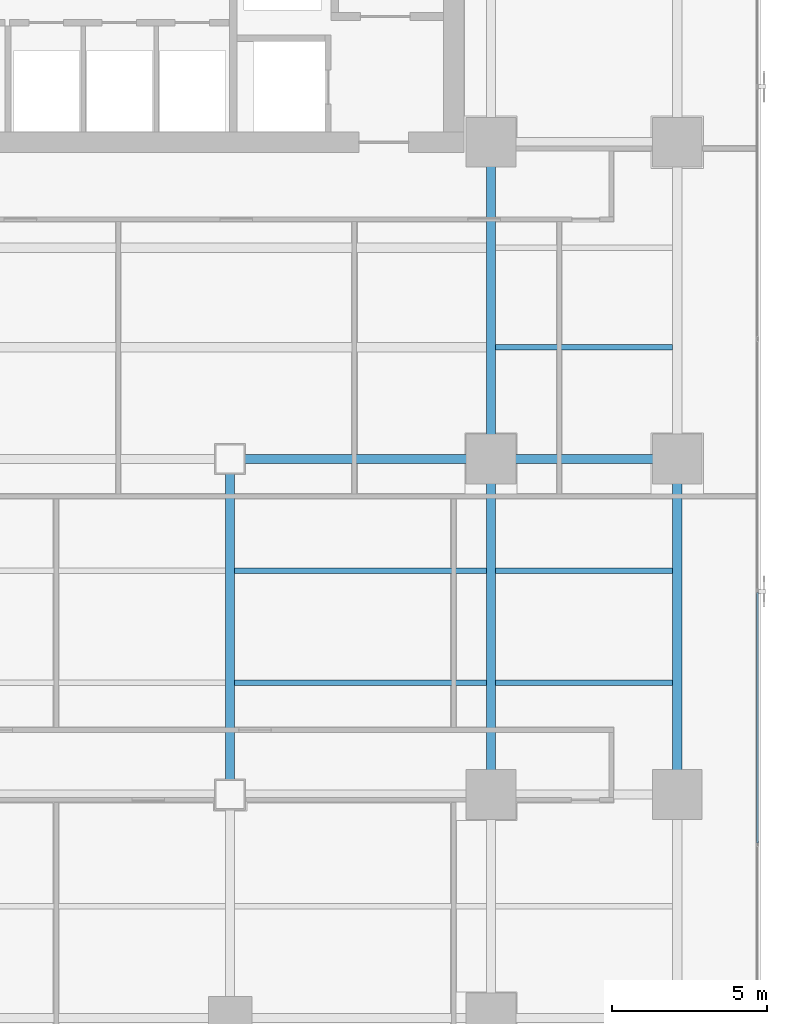
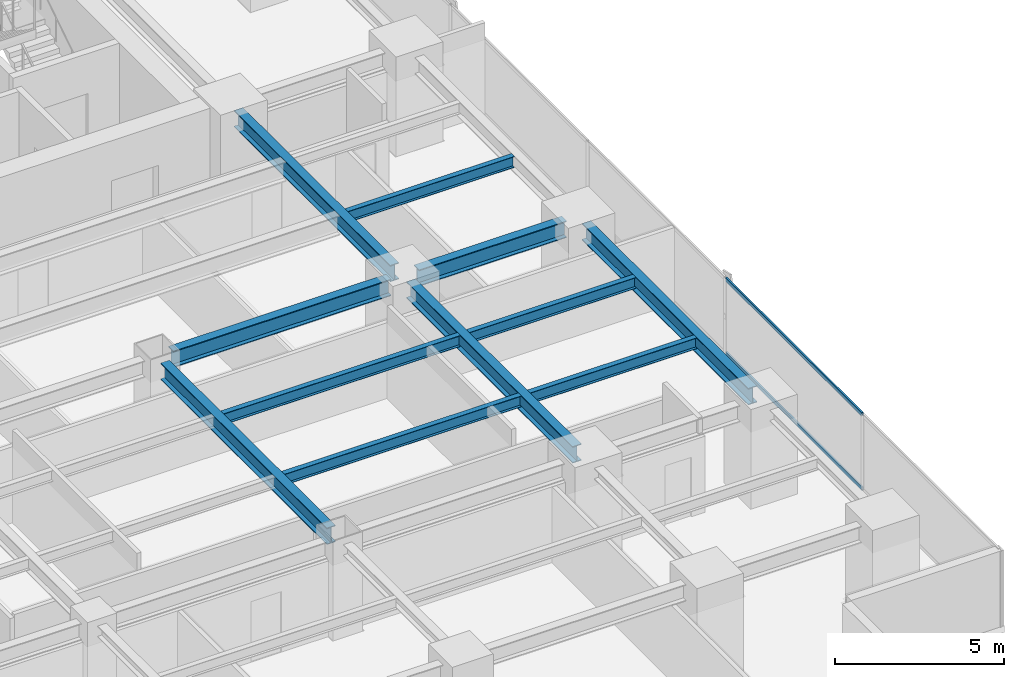
# One storey, part 15 of 37: 11 beams, 2 members, 1 element without a shape of its own.
"""IFC4 building model written with IfcOpenShell, lengths in metres."""

from ifc_helpers import new_model, si_unit, direction, frame, origin, origin_2d, place, context, subcontext, project, spatial, hollow_rectangle, i_section, extrude, source, transform, mapped, material, layer, layer_set, material_profile, profile_set, type_object, element, aggregate, save


model = new_model("IFC4")

# Units and contexts
model_context = context("Model", 3, precision=1e-05, world=origin(), true_north=direction((0.0, 1.0)))
body_context = subcontext(model_context, "Body", "Model", "MODEL_VIEW")
ifc_project = project(units=[si_unit("LENGTHUNIT", "METRE"), si_unit("AREAUNIT", "SQUARE_METRE"), si_unit("VOLUMEUNIT", "CUBIC_METRE"), si_unit("PLANEANGLEUNIT", "RADIAN"), si_unit("MASSUNIT", "GRAM", prefix="KILO")], contexts=[model_context])

# Site, building, storey
site_placement = place(None, origin())
site = spatial("IfcSite", under=ifc_project, at=site_placement, CompositionType="ELEMENT")
building_placement = place(site_placement, origin())
building = spatial("IfcBuilding", under=site, at=building_placement, Name="Sumidabori Civic Tower", CompositionType="ELEMENT")
storey_placement = place(building_placement, frame((0.0, 0.0, 95.60009765625)))
storey = spatial("IfcBuildingStorey", under=building, at=storey_placement, Name="L24", CompositionType="ELEMENT", Elevation=95.60009765625)

# Beams
ifc_material_1 = material(Name="Steel SN490", Category="steel")
ifc_material_profile_1 = material_profile(ifc_material_1, i_section(OverallWidth=0.300048828125, OverallDepth=0.60009765625, WebThickness=0.015380859375, FlangeThickness=0.030029296875, at=origin_2d()), Name="HE 600 B")
ifc_profile_set_1 = profile_set([ifc_material_profile_1], Name="Steel SN490")
beam_type_1 = type_object("IfcBeamType", Name="BM-GIRD-600", PredefinedType="BEAM", material=ifc_profile_set_1)
shared_shape_1 = source(origin(), body_context, "Body", "SweptSolid", [
    extrude(i_section(OverallWidth=0.300048828125, OverallDepth=0.60009765625, WebThickness=0.015380859375, FlangeThickness=0.030029296875, at=origin_2d()), origin(), (0.0, 0.0, 1.0), 5.0400390625),
])
beam_1_placement = place(storey_placement, frame((17.280029296875, 0.0, 3.059814453125), z_axis=(1.0, 0.0, 0.0), x_axis=(0.0, 1.0, 0.0)))
element("IfcBeam", 1, at=beam_1_placement, inside=storey, type_object=beam_type_1, Name="Primary Girder L24 GX-18", PredefinedType="BEAM", context=body_context, shape_type="MappedRepresentation", body=[
    mapped(shared_shape_1, transform((0.0, 0.0, 0.0), x_axis=(1.0, 0.0, 0.0), y_axis=(0.0, 1.0, 0.0), z_axis=(0.0, 0.0, 1.0), scale=1.0)),
])
shared_shape_2 = source(origin(), body_context, "Body", "SweptSolid", [
    extrude(i_section(OverallWidth=0.300048828125, OverallDepth=0.60009765625, WebThickness=0.015380859375, FlangeThickness=0.030029296875, at=origin_2d()), origin(), (0.0, 0.0, 1.0), 7.440185546875),
])
beam_2_placement = place(storey_placement, frame((8.8798828125, 0.0, 3.059814453125), z_axis=(1.0, 0.0, 0.0), x_axis=(0.0, 1.0, 0.0)))
element("IfcBeam", 2, at=beam_2_placement, inside=storey, type_object=beam_type_1, Name="Primary Girder L24 GX-17", PredefinedType="BEAM", context=body_context, shape_type="MappedRepresentation", body=[
    mapped(shared_shape_2, transform((0.0, 0.0, 0.0), x_axis=(1.0, 0.0, 0.0), y_axis=(0.0, 1.0, 0.0), z_axis=(0.0, 0.0, 1.0), scale=1.0)),
])
shared_shape_3 = source(origin(), body_context, "Body", "SweptSolid", [
    extrude(i_section(OverallWidth=0.300048828125, OverallDepth=0.60009765625, WebThickness=0.015380859375, FlangeThickness=0.030029296875, at=origin_2d()), origin(), (0.0, 0.0, 1.0), 9.840087890625),
])
for number, where, z_axis, x_axis, name in (
    (3, (8.39990234375, -10.320068359375, 3.059814453125), (0.0, 1.0, 0.0), (-1.0, 0.0, 0.0), "Primary Girder L24 GY-34"),
    (4, (16.800048828125, -10.320068359375, 3.059814453125), (0.0, 1.0, 0.0), (-1.0, 0.0, 0.0), "Primary Girder L24 GY-36"),
    (5, (22.800048828125, -10.320068359375, 3.059814453125), (0.0, 1.0, 0.0), (-1.0, 0.0, 0.0), "Primary Girder L24 GY-40"),
):
    element("IfcBeam", number, at=place(storey_placement, frame(where, z_axis=z_axis, x_axis=x_axis)), inside=storey, type_object=beam_type_1, Name=name, PredefinedType="BEAM", context=body_context, shape_type="MappedRepresentation", body=[
        mapped(shared_shape_3, transform((0.0, 0.0, 0.0), x_axis=(1.0, 0.0, 0.0), y_axis=(0.0, 1.0, 0.0), z_axis=(0.0, 0.0, 1.0), scale=1.0)),
    ])
shared_shape_4 = source(origin(), body_context, "Body", "SweptSolid", [
    extrude(i_section(OverallWidth=0.300048828125, OverallDepth=0.60009765625, WebThickness=0.015380859375, FlangeThickness=0.030029296875, at=origin_2d()), origin(), (0.0, 0.0, 1.0), 9.239990234375),
])
beam_3_placement = place(storey_placement, frame((16.800048828125, 0.47998046875, 3.059814453125), z_axis=(0.0, 1.0, 0.0), x_axis=(-1.0, 0.0, 0.0)))
element("IfcBeam", 6, at=beam_3_placement, inside=storey, type_object=beam_type_1, Name="Primary Girder L24 GY-37", PredefinedType="BEAM", context=body_context, shape_type="MappedRepresentation", body=[
    mapped(shared_shape_4, transform((0.0, 0.0, 0.0), x_axis=(1.0, 0.0, 0.0), y_axis=(0.0, 1.0, 0.0), z_axis=(0.0, 0.0, 1.0), scale=1.0)),
])
ifc_material_profile_2 = material_profile(ifc_material_1, i_section(OverallWidth=0.179931640625, OverallDepth=0.39990234375, WebThickness=0.008544921875, FlangeThickness=0.013427734375, at=origin_2d()), Name="IPE 400")
ifc_profile_set_2 = profile_set([ifc_material_profile_2], Name="Steel SN490")
beam_type_2 = type_object("IfcBeamType", Name="BM-JST-400", PredefinedType="JOIST", material=ifc_profile_set_2)
shared_shape_5 = source(origin(), body_context, "Body", "SweptSolid", [
    extrude(i_section(OverallWidth=0.179931640625, OverallDepth=0.39990234375, WebThickness=0.008544921875, FlangeThickness=0.013427734375, at=origin_2d()), origin(), (0.0, 0.0, 1.0), 5.699951171875),
])
for number, where, z_axis, x_axis, name in (
    (7, (16.949951171875, -7.199951171875, 3.159912109375), (1.0, 0.0, 0.0), (0.0, 1.0, 0.0), "Outer Bay Floor Joist L24 JSTO-44"),
    (8, (16.949951171875, -3.60009765625, 3.159912109375), (1.0, 0.0, 0.0), (0.0, 1.0, 0.0), "Outer Bay Floor Joist L24 JSTO-46"),
    (9, (16.949951171875, 3.60009765625, 3.159912109375), (1.0, 0.0, 0.0), (0.0, 1.0, 0.0), "Outer Bay Floor Joist L24 JSTO-48"),
):
    element("IfcBeam", number, at=place(storey_placement, frame(where, z_axis=z_axis, x_axis=x_axis)), inside=storey, type_object=beam_type_2, Name=name, PredefinedType="JOIST", context=body_context, shape_type="MappedRepresentation", body=[
        mapped(shared_shape_5, transform((0.0, 0.0, 0.0), x_axis=(1.0, 0.0, 0.0), y_axis=(0.0, 1.0, 0.0), z_axis=(0.0, 0.0, 1.0), scale=1.0)),
    ])
shared_shape_6 = source(origin(), body_context, "Body", "SweptSolid", [
    extrude(i_section(OverallWidth=0.179931640625, OverallDepth=0.39990234375, WebThickness=0.008544921875, FlangeThickness=0.013427734375, at=origin_2d()), origin(), (0.0, 0.0, 1.0), 8.099853515625),
])
for number, where, z_axis, x_axis, name in (
    (10, (8.550048828125, -7.199951171875, 3.159912109375), (1.0, 0.0, 0.0), (0.0, 1.0, 0.0), "South Bay Floor Joist L24 JSTS-62"),
    (11, (8.550048828125, -3.60009765625, 3.159912109375), (1.0, 0.0, 0.0), (0.0, 1.0, 0.0), "South Bay Floor Joist L24 JSTS-66"),
):
    element("IfcBeam", number, at=place(storey_placement, frame(where, z_axis=z_axis, x_axis=x_axis)), inside=storey, type_object=beam_type_2, Name=name, PredefinedType="JOIST", context=body_context, shape_type="MappedRepresentation", body=[
        mapped(shared_shape_6, transform((0.0, 0.0, 0.0), x_axis=(1.0, 0.0, 0.0), y_axis=(0.0, 1.0, 0.0), z_axis=(0.0, 0.0, 1.0), scale=1.0)),
    ])

# Curtain wall, members
ifc_material_2 = material(Name="Anodised Bronze Aluminium AW-6063-T6", Category="aluminium")
ifc_layer = layer(ifc_material_2, 0.179931640625, Name="Anodised Bronze Aluminium AW-6063-T6")
ifc_layer_set = layer_set([ifc_layer], Name="Anodised Bronze Aluminium AW-6063-T6")
curtain_wall_type = type_object("IfcCurtainWallType", Name="CW-SYS-3", PredefinedType="NOTDEFINED", material=ifc_layer_set)
curtain_wall_placement = place(storey_placement, origin())
curtain_wall = element("IfcCurtainWall", 12, at=curtain_wall_placement, inside=storey, type_object=curtain_wall_type, Name="Curtain Wall CW:L24:R04", PredefinedType="NOTDEFINED")
ifc_material_profile_3 = material_profile(ifc_material_2, hollow_rectangle(XDim=0.06005859375, YDim=0.1298828125, WallThickness=0.0048828125, at=origin_2d()), Name="ALU TRANSOM 130x60")
ifc_profile_set_3 = profile_set([ifc_material_profile_3], Name="Anodised Bronze Aluminium AW-6063-T6")
member_type = type_object("IfcMemberType", Name="CW-TRN-130", PredefinedType="USERDEFINED", material=ifc_profile_set_3)
shared_shape_7 = source(origin(), body_context, "Body", "SweptSolid", [
    extrude(hollow_rectangle(XDim=0.06005859375, YDim=0.1298828125, WallThickness=0.0048828125, at=origin_2d()), origin(), (0.0, 0.0, 1.0), 8.063232421875),
])
member_1_placement = place(storey_placement, frame((25.3798828125, -12.359619140625, 0.02978515625), z_axis=(0.0, 1.0, 0.0), x_axis=(-1.0, 0.0, 0.0)))
member_1 = element("IfcMember", 13, at=member_1_placement, type_object=member_type, Name="CW-3 transom 2.1", ObjectType="TRANSOM", PredefinedType="USERDEFINED", context=body_context, shape_type="MappedRepresentation", body=[
    mapped(shared_shape_7, transform((0.0, 0.0, 0.0), x_axis=(1.0, 0.0, 0.0), y_axis=(0.0, 1.0, 0.0), z_axis=(0.0, 0.0, 1.0), scale=1.0)),
])
member_2_placement = place(storey_placement, frame((25.3798828125, -12.359619140625, 2.7099609375), z_axis=(0.0, 1.0, 0.0), x_axis=(-1.0, 0.0, 0.0)))
member_2 = element("IfcMember", 14, at=member_2_placement, type_object=member_type, Name="CW-3 transom 2.2", ObjectType="TRANSOM", PredefinedType="USERDEFINED", context=body_context, shape_type="MappedRepresentation", body=[
    mapped(shared_shape_7, transform((0.0, 0.0, 0.0), x_axis=(1.0, 0.0, 0.0), y_axis=(0.0, 1.0, 0.0), z_axis=(0.0, 0.0, 1.0), scale=1.0)),
])
aggregate(curtain_wall, [member_1, member_2])

save(model, "model.ifc")
